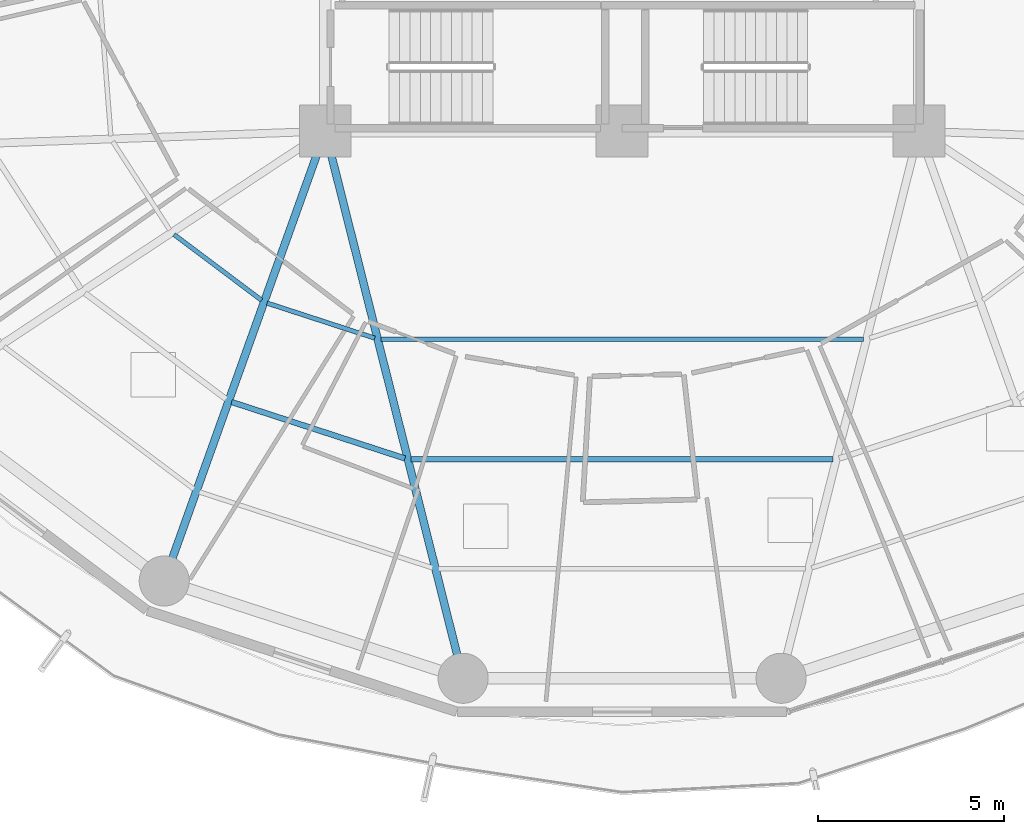
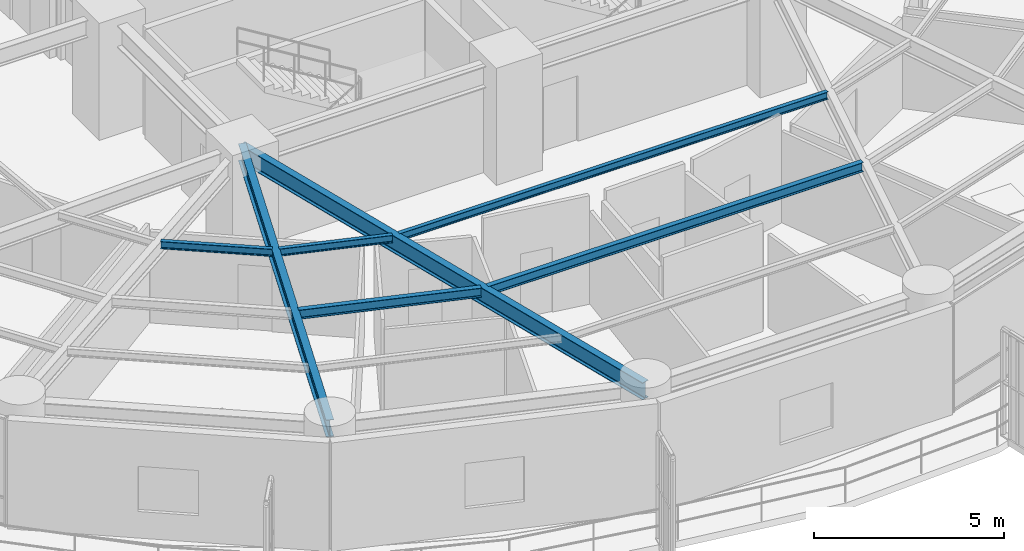
# One storey, part 5 of 35: 7 beams.
"""IFC4 building model written with IfcOpenShell, lengths in metres."""

from ifc_helpers import new_model, si_unit, direction, frame, origin, origin_2d, place, context, subcontext, project, spatial, i_section, extrude, material, material_profile, profile_set, type_object, element, save


model = new_model("IFC4")

# Units and contexts
model_context = context("Model", 3, precision=1e-05, world=origin(), true_north=direction((0.0, 1.0)))
body_context = subcontext(model_context, "Body", "Model", "MODEL_VIEW")
ifc_project = project(units=[si_unit("LENGTHUNIT", "METRE"), si_unit("AREAUNIT", "SQUARE_METRE"), si_unit("VOLUMEUNIT", "CUBIC_METRE"), si_unit("PLANEANGLEUNIT", "RADIAN"), si_unit("MASSUNIT", "GRAM", prefix="KILO")], contexts=[model_context])

# Site, building, storey
site_placement = place(None, origin())
site = spatial("IfcSite", under=ifc_project, at=site_placement, CompositionType="ELEMENT")
building_placement = place(site_placement, origin())
building = spatial("IfcBuilding", under=site, at=building_placement, Name="Kelanora Arch Commons", CompositionType="ELEMENT")
storey_placement = place(building_placement, frame((0.0, 0.0, 91.35009765625)))
storey = spatial("IfcBuildingStorey", under=building, at=storey_placement, Name="L23", CompositionType="ELEMENT", Elevation=91.35009765625)

# Beams
ifc_material = material(Name="Steel S355", Category="steel")
ifc_material_profile_1 = material_profile(ifc_material, i_section(OverallWidth=0.14990234375, OverallDepth=0.300048828125, WebThickness=0.007080078125, FlangeThickness=0.0107421875, FilletRadius=0.014892578125, at=origin_2d()), Name="IPE300")
ifc_profile_set_1 = profile_set([ifc_material_profile_1], Name="Steel S355")
beam_type_1 = type_object("IfcBeamType", Name="BM-JST-01", PredefinedType="JOIST", material=ifc_profile_set_1)
beam_1_placement = place(storey_placement, frame((63.476806640625, 43.70068359375, 3.33984375), z_axis=(0.950857140254, -0.309629938521, 0.0), x_axis=(0.309629938521, 0.950857140254, 0.0)))
element("IfcBeam", 1, at=beam_1_placement, inside=storey, type_object=beam_type_1, Name="Secondary Chord Joist BJB-24 L23", PredefinedType="JOIST", context=body_context, shape_type="SweptSolid", body=[
    extrude(i_section(OverallWidth=0.14990234375, OverallDepth=0.300048828125, WebThickness=0.007080078125, FlangeThickness=0.0107421875, FilletRadius=0.014892578125, at=origin_2d()), origin(), (0.0, 0.0, 1.0), 4.912353515625),
])
beam_2_placement = place(storey_placement, frame((68.313720703125, 42.1533203125, 3.33984375), z_axis=(1.0, 0.0, 0.0), x_axis=(0.0, 1.0, 0.0)))
element("IfcBeam", 2, at=beam_2_placement, inside=storey, type_object=beam_type_1, Name="Secondary Chord Joist BJB-26 L23", PredefinedType="JOIST", context=body_context, shape_type="SweptSolid", body=[
    extrude(i_section(OverallWidth=0.14990234375, OverallDepth=0.300048828125, WebThickness=0.007080078125, FlangeThickness=0.0107421875, FilletRadius=0.014892578125, at=origin_2d()), origin(), (0.0, 0.0, 1.0), 11.37255859375),
])
ifc_material_profile_2 = material_profile(ifc_material, i_section(OverallWidth=0.1201171875, OverallDepth=0.239990234375, WebThickness=0.006103515625, FlangeThickness=0.009765625, FilletRadius=0.014892578125, at=origin_2d()), Name="IPE240")
ifc_profile_set_2 = profile_set([ifc_material_profile_2], Name="Steel S355")
beam_type_2 = type_object("IfcBeamType", Name="BM-JST-02", PredefinedType="JOIST", material=ifc_profile_set_2)
beam_3_placement = place(storey_placement, frame((61.923583984375, 48.2158203125, 3.369873046875), z_axis=(0.799692034361, -0.600410401458, 0.0), x_axis=(0.600410401458, 0.799692034361, 0.0)))
element("IfcBeam", 3, at=beam_3_placement, inside=storey, type_object=beam_type_2, Name="Secondary Chord Joist BJA-22 L23", PredefinedType="JOIST", context=body_context, shape_type="SweptSolid", body=[
    extrude(i_section(OverallWidth=0.1201171875, OverallDepth=0.239990234375, WebThickness=0.006103515625, FlangeThickness=0.009765625, FilletRadius=0.014892578125, at=origin_2d()), origin(), (0.0, 0.0, 1.0), 2.949951171875),
])
beam_4_placement = place(storey_placement, frame((64.431640625, 46.367431640625, 3.369873046875), z_axis=(0.950846758946, -0.309661817151, 0.0), x_axis=(0.309661817151, 0.950846758946, 0.0)))
element("IfcBeam", 4, at=beam_4_placement, inside=storey, type_object=beam_type_2, Name="Secondary Chord Joist BJA-24 L23", PredefinedType="JOIST", context=body_context, shape_type="SweptSolid", body=[
    extrude(i_section(OverallWidth=0.1201171875, OverallDepth=0.239990234375, WebThickness=0.006103515625, FlangeThickness=0.009765625, FilletRadius=0.014892578125, at=origin_2d()), origin(), (0.0, 0.0, 1.0), 3.048828125),
])
beam_5_placement = place(storey_placement, frame((67.49658203125, 45.397216796875, 3.369873046875), z_axis=(1.0, 0.0, 0.0), x_axis=(0.0, 1.0, 0.0)))
element("IfcBeam", 5, at=beam_5_placement, inside=storey, type_object=beam_type_2, Name="Secondary Chord Joist BJA-26 L23", PredefinedType="JOIST", context=body_context, shape_type="SweptSolid", body=[
    extrude(i_section(OverallWidth=0.1201171875, OverallDepth=0.239990234375, WebThickness=0.006103515625, FlangeThickness=0.009765625, FilletRadius=0.014892578125, at=origin_2d()), origin(), (0.0, 0.0, 1.0), 13.0068359375),
])
ifc_material_profile_3 = material_profile(ifc_material, i_section(OverallWidth=0.2099609375, OverallDepth=0.550048828125, WebThickness=0.010986328125, FlangeThickness=0.01708984375, FilletRadius=0.02392578125, at=origin_2d()), Name="IPE550")
ifc_profile_set_3 = profile_set([ifc_material_profile_3], Name="Steel S355")
beam_type_3 = type_object("IfcBeamType", Name="BM-RAD-Z2", PredefinedType="BEAM", material=ifc_profile_set_3)
beam_6_placement = place(storey_placement, frame((66.0, 51.0, 3.21484375), z_axis=(-0.337084640008, -0.941474346687, 0.0), x_axis=(0.941474346687, -0.337084640008, 0.0)))
element("IfcBeam", 6, at=beam_6_placement, inside=storey, type_object=beam_type_3, Name="Radial Floor Girder BR-24 L23", PredefinedType="BEAM", context=body_context, shape_type="SweptSolid", body=[
    extrude(i_section(OverallWidth=0.2099609375, OverallDepth=0.550048828125, WebThickness=0.010986328125, FlangeThickness=0.01708984375, FilletRadius=0.02392578125, at=origin_2d()), origin(), (0.0, 0.0, 1.0), 12.875244140625),
])
beam_7_placement = place(storey_placement, frame((66.0, 51.0, 3.21484375), z_axis=(0.244280647475, -0.969704576286, 0.0), x_axis=(0.969704576286, 0.244280647475, 0.0)))
element("IfcBeam", 7, at=beam_7_placement, inside=storey, type_object=beam_type_3, Name="Radial Floor Girder BR-26 L23", PredefinedType="BEAM", context=body_context, shape_type="SweptSolid", body=[
    extrude(i_section(OverallWidth=0.2099609375, OverallDepth=0.550048828125, WebThickness=0.010986328125, FlangeThickness=0.01708984375, FilletRadius=0.02392578125, at=origin_2d()), origin(), (0.0, 0.0, 1.0), 15.205322265625),
])

save(model, "model.ifc")
